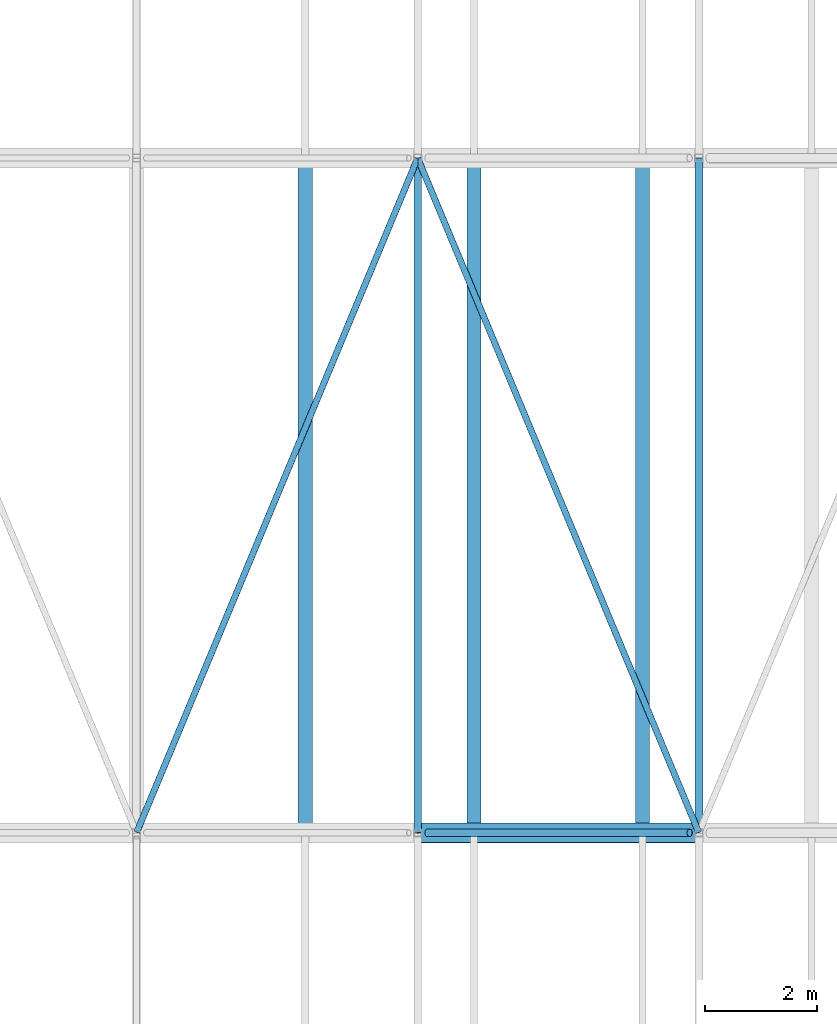
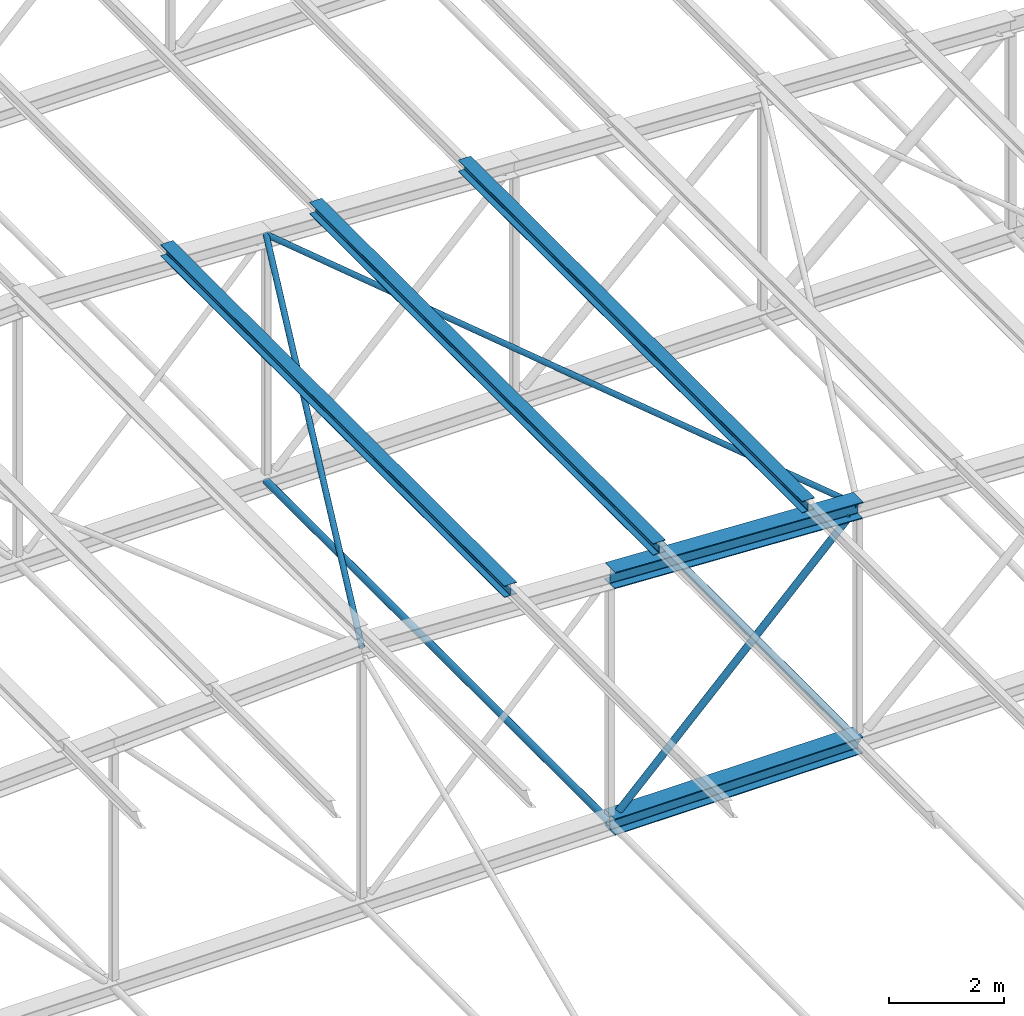
# One storey, part 36 of 156: 10 members.
"""IFC4 building model written with IfcOpenShell, lengths in metres."""

from ifc_helpers import new_model, si_unit, direction, frame, origin, origin_2d, place, context, subcontext, project, spatial, hollow_circle, i_section, extrude, material, material_profile, profile_set, type_object, element, save


model = new_model("IFC4")

# Units and contexts
model_context = context("Model", 3, precision=1e-05, world=origin(), true_north=direction((0.0, 1.0)))
body_context = subcontext(model_context, "Body", "Model", "MODEL_VIEW")
ifc_project = project(units=[si_unit("LENGTHUNIT", "METRE"), si_unit("AREAUNIT", "SQUARE_METRE"), si_unit("VOLUMEUNIT", "CUBIC_METRE"), si_unit("PLANEANGLEUNIT", "RADIAN"), si_unit("MASSUNIT", "GRAM", prefix="KILO")], contexts=[model_context])

# Site, building, storey
site_placement = place(None, origin())
site = spatial("IfcSite", under=ifc_project, at=site_placement, CompositionType="ELEMENT")
building_placement = place(site_placement, origin())
building = spatial("IfcBuilding", under=site, at=building_placement, Name="Lilac Gate Convention Centre", CompositionType="ELEMENT")
storey_placement = place(building_placement, frame((0.0, 0.0, 17.0)))
storey = spatial("IfcBuildingStorey", under=building, at=storey_placement, Name="L03", CompositionType="ELEMENT", Elevation=17.0)

# Members
ifc_material = material(Name="Steel Q355B", Category="steel")
ifc_material_profile_1 = material_profile(ifc_material, hollow_circle(Radius=0.06982421875, WallThickness=0.0048828125, at=origin_2d()), Name="CHS139.7x5")
ifc_profile_set_1 = profile_set([ifc_material_profile_1], Name="Steel Q355B")
member_type_1 = type_object("IfcMemberType", Name="Bottom chord tie CHS139.7x5", PredefinedType="STRUT", material=ifc_profile_set_1)
member_1_placement = place(storey_placement, frame((65.0, 78.009521484375, 0.0), z_axis=(0.0, 1.0, 0.0), x_axis=(-1.0, 0.0, 0.0)))
element("IfcMember", 1, at=member_1_placement, inside=storey, type_object=member_type_1, Name="ST1 tie bay 5 node 8", PredefinedType="STRUT", context=body_context, shape_type="SweptSolid", body=[
    extrude(hollow_circle(Radius=0.06982421875, WallThickness=0.0048828125, at=origin_2d()), origin(), (0.0, 0.0, 1.0), 11.98095703125),
])
member_2_placement = place(storey_placement, frame((70.0, 78.006103515625, 0.0), z_axis=(0.0, 1.0, 0.0), x_axis=(-1.0, 0.0, 0.0)))
element("IfcMember", 2, at=member_2_placement, inside=storey, type_object=member_type_1, Name="ST1 tie bay 5 node 9", PredefinedType="STRUT", context=body_context, shape_type="SweptSolid", body=[
    extrude(hollow_circle(Radius=0.06982421875, WallThickness=0.0048828125, at=origin_2d()), origin(), (0.0, 0.0, 1.0), 11.98779296875),
])
ifc_material_profile_2 = material_profile(ifc_material, hollow_circle(Radius=0.05712890625, WallThickness=0.0048828125, at=origin_2d()), Name="CHS114.3x5")
ifc_profile_set_2 = profile_set([ifc_material_profile_2], Name="Steel Q355B")
member_type_2 = type_object("IfcMemberType", Name="Roof plane bracing CHS114.3x5", PredefinedType="BRACE", material=ifc_profile_set_2)
member_3_placement = place(storey_placement, frame((60.00390625, 78.009521484375, 5.499755859375), z_axis=(0.384552349435, 0.922903071018, -0.01922009493), x_axis=(-0.923073584019, 0.384623398256, 0.0)))
element("IfcMember", 3, at=member_3_placement, inside=storey, type_object=member_type_2, Name="BR1 plan bracing bay 5 panel 7", PredefinedType="BRACE", context=body_context, shape_type="SweptSolid", body=[
    extrude(hollow_circle(Radius=0.05712890625, WallThickness=0.0048828125, at=origin_2d()), origin(), (0.0, 0.0, 1.0), 12.98193359375),
])
member_4_placement = place(storey_placement, frame((65.00244140625, 89.993896484375, 5.25), z_axis=(0.384557486582, -0.922900376645, -0.019246669905), x_axis=(0.923071361129, 0.384628733019, 0.0)))
element("IfcMember", 4, at=member_4_placement, inside=storey, type_object=member_type_2, Name="BR1 plan bracing bay 5 panel 8", PredefinedType="BRACE", context=body_context, shape_type="SweptSolid", body=[
    extrude(hollow_circle(Radius=0.05712890625, WallThickness=0.0048828125, at=origin_2d()), origin(), (0.0, 0.0, 1.0), 12.9892578125),
])
ifc_material_profile_3 = material_profile(ifc_material, i_section(OverallWidth=0.25, OverallDepth=0.25, WebThickness=0.009033203125, FlangeThickness=0.013916015625, FilletRadius=0.012939453125, at=origin_2d()), Name="HW250x250x9x14")
ifc_profile_set_3 = profile_set([ifc_material_profile_3], Name="Steel Q355B")
member_type_3 = type_object("IfcMemberType", Name="Roof purlin HW250x250x9x14", PredefinedType="PURLIN", material=ifc_profile_set_3)
for number, where, z_axis, x_axis, name in (
    (5, (63.0, 78.0, 5.650146484375), (0.0, 1.0, 0.0), (-1.0, 0.0, 0.0), "PU1 purlin bay 5 line 12"),
    (6, (66.0, 78.0, 5.500244140625), (0.0, 1.0, 0.0), (-1.0, 0.0, 0.0), "PU1 purlin bay 5 line 13"),
    (7, (69.0, 78.0, 5.35009765625), (0.0, 1.0, 0.0), (-1.0, 0.0, 0.0), "PU1 purlin bay 5 line 14"),
):
    element("IfcMember", number, at=place(storey_placement, frame(where, z_axis=z_axis, x_axis=x_axis)), inside=storey, type_object=member_type_3, Name=name, PredefinedType="PURLIN", context=body_context, shape_type="SweptSolid", body=[
        extrude(i_section(OverallWidth=0.25, OverallDepth=0.25, WebThickness=0.009033203125, FlangeThickness=0.013916015625, FilletRadius=0.012939453125, at=origin_2d()), origin(), (0.0, 0.0, 1.0), 12.0),
    ])
ifc_material_profile_4 = material_profile(ifc_material, i_section(OverallWidth=0.35693359375, OverallDepth=0.35009765625, WebThickness=0.01904296875, FlangeThickness=0.01904296875, FilletRadius=0.012939453125, at=origin_2d()), Name="HW350x357x19x19")
ifc_profile_set_4 = profile_set([ifc_material_profile_4], Name="Steel Q355B")
member_type_4 = type_object("IfcMemberType", Name="Truss bottom chord HW350x357x19x19", PredefinedType="CHORD", material=ifc_profile_set_4)
member_5_placement = place(storey_placement, frame((65.0, 78.0, 0.0), z_axis=(1.0, 0.0, 0.0), x_axis=(0.0, 1.0, 0.0)))
element("IfcMember", 8, at=member_5_placement, inside=storey, type_object=member_type_4, Name="TB3 truss 5 bottom chord 8", PredefinedType="CHORD", context=body_context, shape_type="SweptSolid", body=[
    extrude(i_section(OverallWidth=0.35693359375, OverallDepth=0.35009765625, WebThickness=0.01904296875, FlangeThickness=0.01904296875, FilletRadius=0.012939453125, at=origin_2d()), origin(), (0.0, 0.0, 1.0), 5.0),
])
ifc_material_profile_5 = material_profile(ifc_material, hollow_circle(Radius=0.06982421875, WallThickness=0.006103515625, at=origin_2d()), Name="CHS139.7x6")
ifc_profile_set_5 = profile_set([ifc_material_profile_5], Name="Steel Q355B")
member_type_5 = type_object("IfcMemberType", Name="Truss diagonal CHS139.7x6", PredefinedType="BRACE", material=ifc_profile_set_5)
member_6_placement = place(storey_placement, frame((69.835693359375, 78.0, 4.835693359375), z_axis=(-0.707106781187, 0.0, -0.707106781187), x_axis=(0.0, -1.0, 0.0)))
element("IfcMember", 9, at=member_6_placement, inside=storey, type_object=member_type_5, Name="TW5 truss 5 diagonal 8", PredefinedType="BRACE", context=body_context, shape_type="SweptSolid", body=[
    extrude(hollow_circle(Radius=0.06982421875, WallThickness=0.006103515625, at=origin_2d()), origin(), (0.0, 0.0, 1.0), 6.591064453125),
])
ifc_material_profile_6 = material_profile(ifc_material, i_section(OverallWidth=0.35009765625, OverallDepth=0.35009765625, WebThickness=0.011962890625, FlangeThickness=0.01904296875, FilletRadius=0.012939453125, at=origin_2d()), Name="HW350x350x12x19")
ifc_profile_set_6 = profile_set([ifc_material_profile_6], Name="Steel Q355B")
member_type_6 = type_object("IfcMemberType", Name="Truss top chord HW350x350x12x19", PredefinedType="CHORD", material=ifc_profile_set_6)
member_7_placement = place(storey_placement, frame((65.0, 78.0, 5.25), z_axis=(0.998752338878, 0.0, -0.049937616944), x_axis=(0.0, 1.0, 0.0)))
element("IfcMember", 10, at=member_7_placement, inside=storey, type_object=member_type_6, Name="TT2 truss 5 top chord 8", PredefinedType="CHORD", context=body_context, shape_type="SweptSolid", body=[
    extrude(i_section(OverallWidth=0.35009765625, OverallDepth=0.35009765625, WebThickness=0.011962890625, FlangeThickness=0.01904296875, FilletRadius=0.012939453125, at=origin_2d()), origin(), (0.0, 0.0, 1.0), 5.00634765625),
])

save(model, "model.ifc")
